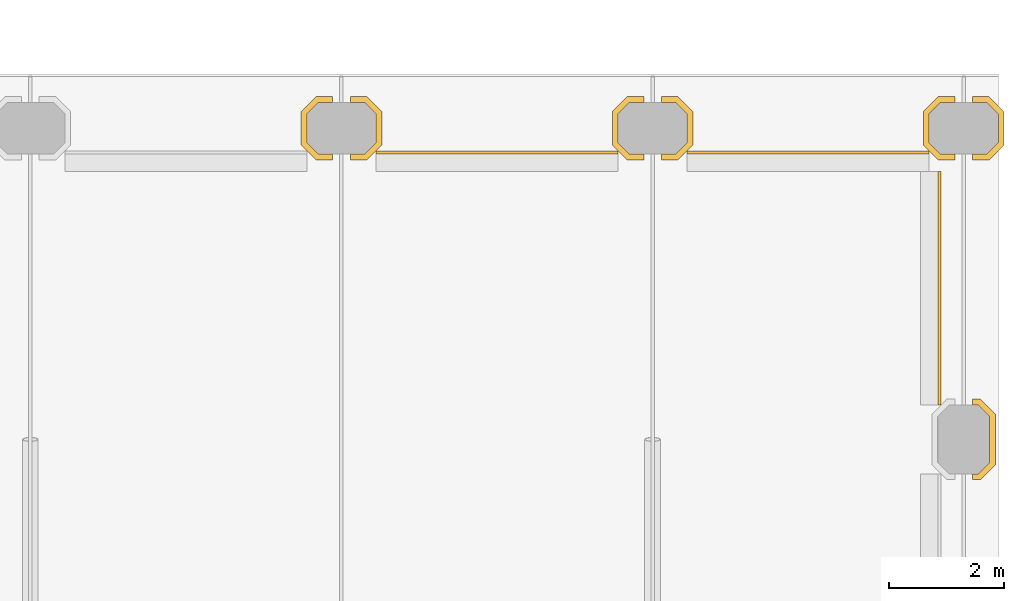
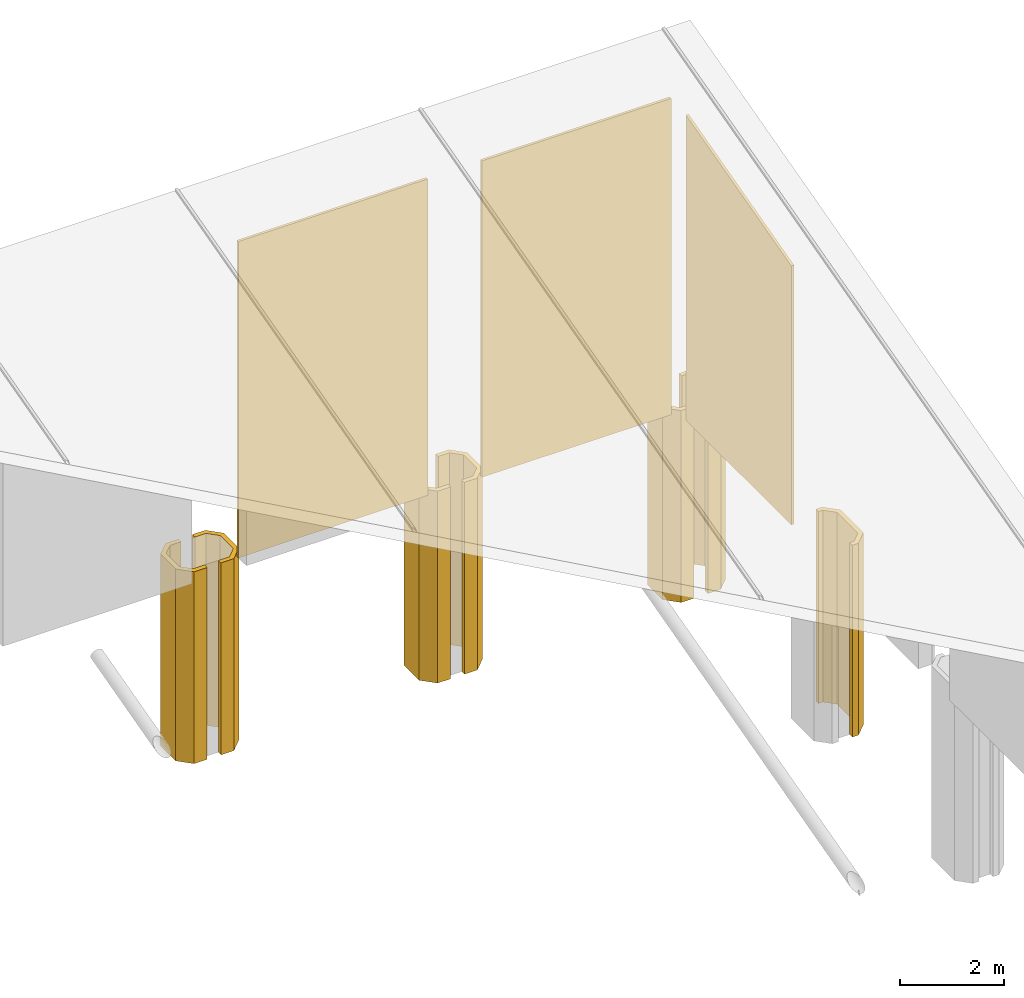
# One storey, part 23 of 23: 10 coverings.
"""IFC4 building model written with IfcOpenShell, lengths in metres."""

from ifc_helpers import new_model, si_unit, direction, frame, origin, place, context, subcontext, project, spatial, polyline, outline, extrude, material, layer, layer_set, type_object, element, save


model = new_model("IFC4")

# Units and contexts
model_context = context("Model", 3, precision=1e-05, world=origin(), true_north=direction((0.0, 1.0)))
body_context = subcontext(model_context, "Body", "Model", "MODEL_VIEW")
ifc_project = project(units=[si_unit("LENGTHUNIT", "METRE"), si_unit("AREAUNIT", "SQUARE_METRE"), si_unit("VOLUMEUNIT", "CUBIC_METRE"), si_unit("PLANEANGLEUNIT", "RADIAN"), si_unit("MASSUNIT", "GRAM", prefix="KILO")], contexts=[model_context])

# Site, building, storey
site_placement = place(None, origin())
site = spatial("IfcSite", under=ifc_project, at=site_placement, CompositionType="ELEMENT")
building_placement = place(site_placement, origin())
building = spatial("IfcBuilding", under=site, at=building_placement, Name="Tabaq Tower and Sports Hall", CompositionType="ELEMENT")
storey_placement = place(building_placement, frame((0.0, 0.0, 24.60009765625)))
storey = spatial("IfcBuildingStorey", under=building, at=storey_placement, Name="L04", CompositionType="ELEMENT", Elevation=24.60009765625)

# Coverings
ifc_material_1 = material(Name="Precast concrete C60/75", Category="concrete")
ifc_layer_1 = layer(ifc_material_1, 0.10009765625)
ifc_layer_set_1 = layer_set([ifc_layer_1], Name="Column cladding 100")
covering_type_1 = type_object("IfcCoveringType", Name="Column cladding 100", PredefinedType="CLADDING", material=ifc_layer_set_1)
covering_1_placement = place(storey_placement, origin())
element("IfcCovering", 1, at=covering_1_placement, inside=storey, type_object=covering_type_1, Name="Column cladding L04 HC-22I", PredefinedType="CLADDING", context=body_context, shape_type="SweptSolid", body=[
    extrude(outline(polyline([(113.84130859375, 43.749755859375), (114.099609375, 43.4912109375), (114.099609375, 42.90869140625), (113.84130859375, 42.650390625), (113.552978515625, 42.650390625), (113.552978515625, 42.749755859375), (113.800048828125, 42.749755859375), (114.000244140625, 42.949951171875), (114.000244140625, 43.4501953125), (113.800048828125, 43.650390625), (113.552978515625, 43.650390625), (113.552978515625, 43.749755859375), (113.84130859375, 43.749755859375)])), origin(), (0.0, 0.0, 1.0), 4.5),
])
covering_2_placement = place(storey_placement, origin())
element("IfcCovering", 2, at=covering_2_placement, inside=storey, type_object=covering_type_1, Name="Column cladding L04 HC-22I 2", PredefinedType="CLADDING", context=body_context, shape_type="SweptSolid", body=[
    extrude(outline(polyline([(112.7001953125, 43.4912109375), (112.958740234375, 43.749755859375), (113.2470703125, 43.749755859375), (113.2470703125, 43.650390625), (112.999755859375, 43.650390625), (112.7998046875, 43.4501953125), (112.7998046875, 42.949951171875), (112.999755859375, 42.749755859375), (113.2470703125, 42.749755859375), (113.2470703125, 42.650390625), (112.958740234375, 42.650390625), (112.7001953125, 42.90869140625), (112.7001953125, 43.4912109375)])), origin(), (0.0, 0.0, 1.0), 4.5),
])
covering_3_placement = place(storey_placement, origin())
element("IfcCovering", 3, at=covering_3_placement, inside=storey, type_object=covering_type_1, Name="Column cladding L04 HC-23I", PredefinedType="CLADDING", context=body_context, shape_type="SweptSolid", body=[
    extrude(outline(polyline([(119.2412109375, 43.749755859375), (119.499755859375, 43.4912109375), (119.499755859375, 42.90869140625), (119.2412109375, 42.650390625), (118.952880859375, 42.650390625), (118.952880859375, 42.749755859375), (119.2001953125, 42.749755859375), (119.400390625, 42.949951171875), (119.400390625, 43.4501953125), (119.2001953125, 43.650390625), (118.952880859375, 43.650390625), (118.952880859375, 43.749755859375), (119.2412109375, 43.749755859375)])), origin(), (0.0, 0.0, 1.0), 4.5),
])
covering_4_placement = place(storey_placement, origin())
element("IfcCovering", 4, at=covering_4_placement, inside=storey, type_object=covering_type_1, Name="Column cladding L04 HC-23I 2", PredefinedType="CLADDING", context=body_context, shape_type="SweptSolid", body=[
    extrude(outline(polyline([(118.100341796875, 43.4912109375), (118.358642578125, 43.749755859375), (118.64697265625, 43.749755859375), (118.64697265625, 43.650390625), (118.39990234375, 43.650390625), (118.19970703125, 43.4501953125), (118.19970703125, 42.949951171875), (118.39990234375, 42.749755859375), (118.64697265625, 42.749755859375), (118.64697265625, 42.650390625), (118.358642578125, 42.650390625), (118.100341796875, 42.90869140625), (118.100341796875, 43.4912109375)])), origin(), (0.0, 0.0, 1.0), 4.5),
])
covering_5_placement = place(storey_placement, origin())
element("IfcCovering", 5, at=covering_5_placement, inside=storey, type_object=covering_type_1, Name="Column cladding L04 HC-24H", PredefinedType="CLADDING", context=body_context, shape_type="SweptSolid", body=[
    extrude(outline(polyline([(124.35302734375, 37.100341796875), (124.35302734375, 37.19970703125), (124.4501953125, 37.19970703125), (124.650390625, 37.39990234375), (124.650390625, 38.2001953125), (124.4501953125, 38.400390625), (124.35302734375, 38.400390625), (124.35302734375, 38.499755859375), (124.4912109375, 38.499755859375), (124.749755859375, 38.2412109375), (124.749755859375, 37.358642578125), (124.4912109375, 37.100341796875), (124.35302734375, 37.100341796875)])), origin(), (0.0, 0.0, 1.0), 4.5),
])
covering_6_placement = place(storey_placement, origin())
element("IfcCovering", 6, at=covering_6_placement, inside=storey, type_object=covering_type_1, Name="Column cladding L04 HC-24I", PredefinedType="CLADDING", context=body_context, shape_type="SweptSolid", body=[
    extrude(outline(polyline([(124.641357421875, 43.749755859375), (124.899658203125, 43.4912109375), (124.899658203125, 42.90869140625), (124.641357421875, 42.650390625), (124.35302734375, 42.650390625), (124.35302734375, 42.749755859375), (124.60009765625, 42.749755859375), (124.80029296875, 42.949951171875), (124.80029296875, 43.4501953125), (124.60009765625, 43.650390625), (124.35302734375, 43.650390625), (124.35302734375, 43.749755859375), (124.641357421875, 43.749755859375)])), origin(), (0.0, 0.0, 1.0), 4.5),
])
covering_7_placement = place(storey_placement, origin())
element("IfcCovering", 7, at=covering_7_placement, inside=storey, type_object=covering_type_1, Name="Column cladding L04 HC-24I 2", PredefinedType="CLADDING", context=body_context, shape_type="SweptSolid", body=[
    extrude(outline(polyline([(123.500244140625, 43.4912109375), (123.7587890625, 43.749755859375), (124.047119140625, 43.749755859375), (124.047119140625, 43.650390625), (123.7998046875, 43.650390625), (123.599609375, 43.4501953125), (123.599609375, 42.949951171875), (123.7998046875, 42.749755859375), (124.047119140625, 42.749755859375), (124.047119140625, 42.650390625), (123.7587890625, 42.650390625), (123.500244140625, 42.90869140625), (123.500244140625, 43.4912109375)])), origin(), (0.0, 0.0, 1.0), 4.5),
])
ifc_material_2 = material(Name="Precast concrete C60/75", Category="concrete")
ifc_layer_2 = layer(ifc_material_2, 0.06005859375)
ifc_layer_set_2 = layer_set([ifc_layer_2], Name="White precast cladding panel 60 C60/75")
covering_type_2 = type_object("IfcCoveringType", Name="White precast cladding panel 60 C60/75", PredefinedType="CLADDING", material=ifc_layer_set_2)
covering_8_placement = place(storey_placement, frame((123.780029296875, 38.39990234375, 4.39990234375), z_axis=(0.0, 0.0, 1.0), x_axis=(0.0, 1.0, 0.0)))
element("IfcCovering", 8, at=covering_8_placement, inside=storey, type_object=covering_type_2, Name="White precast cladding panel L04 hi", PredefinedType="CLADDING", context=body_context, shape_type="SweptSolid", body=[
    extrude(outline(polyline([(0.0, 0.0), (4.050048828125, 0.0), (4.050048828125, 7.158935546875), (0.0, 6.07373046875), (0.0, 0.0)])), frame((0.0, 0.030029296875, 0.0), z_axis=(0.0, -1.0, 0.0), x_axis=(1.0, 0.0, 0.0)), (0.0, 0.0, 1.0), 0.06005859375),
])
covering_9_placement = place(storey_placement, frame((114.0, 42.780029296875, 4.39990234375), z_axis=(0.0, 0.0, 1.0), x_axis=(1.0, 0.0, 0.0)))
element("IfcCovering", 9, at=covering_9_placement, inside=storey, type_object=covering_type_2, Name="White precast cladding panel L04 hi", PredefinedType="CLADDING", context=body_context, shape_type="SweptSolid", body=[
    extrude(outline(polyline([(0.0, 0.0), (4.199951171875, 0.0), (4.199951171875, 7.419189453125), (0.0, 7.419189453125), (0.0, 0.0)])), frame((0.0, 0.030029296875, 0.0), z_axis=(0.0, -1.0, 0.0), x_axis=(1.0, 0.0, 0.0)), (0.0, 0.0, 1.0), 0.06005859375),
])
covering_10_placement = place(storey_placement, frame((119.39990234375, 42.780029296875, 4.39990234375), z_axis=(0.0, 0.0, 1.0), x_axis=(1.0, 0.0, 0.0)))
element("IfcCovering", 10, at=covering_10_placement, inside=storey, type_object=covering_type_2, Name="White precast cladding panel L04 hi", PredefinedType="CLADDING", context=body_context, shape_type="SweptSolid", body=[
    extrude(outline(polyline([(0.0, 0.0), (4.2001953125, 0.0), (4.199951171875, 7.419189453125), (0.0, 7.419189453125), (0.0, 0.0)])), frame((0.0, 0.030029296875, 0.0), z_axis=(0.0, -1.0, 0.0), x_axis=(1.0, 0.0, 0.0)), (0.0, 0.0, 1.0), 0.06005859375),
])

save(model, "model.ifc")
